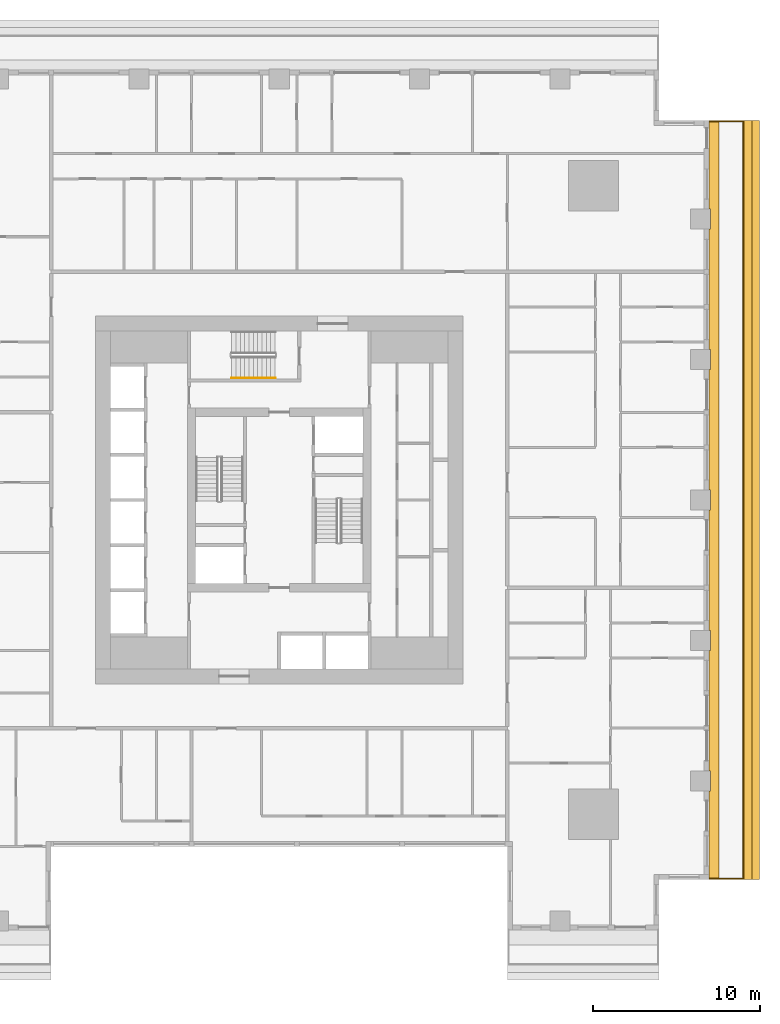
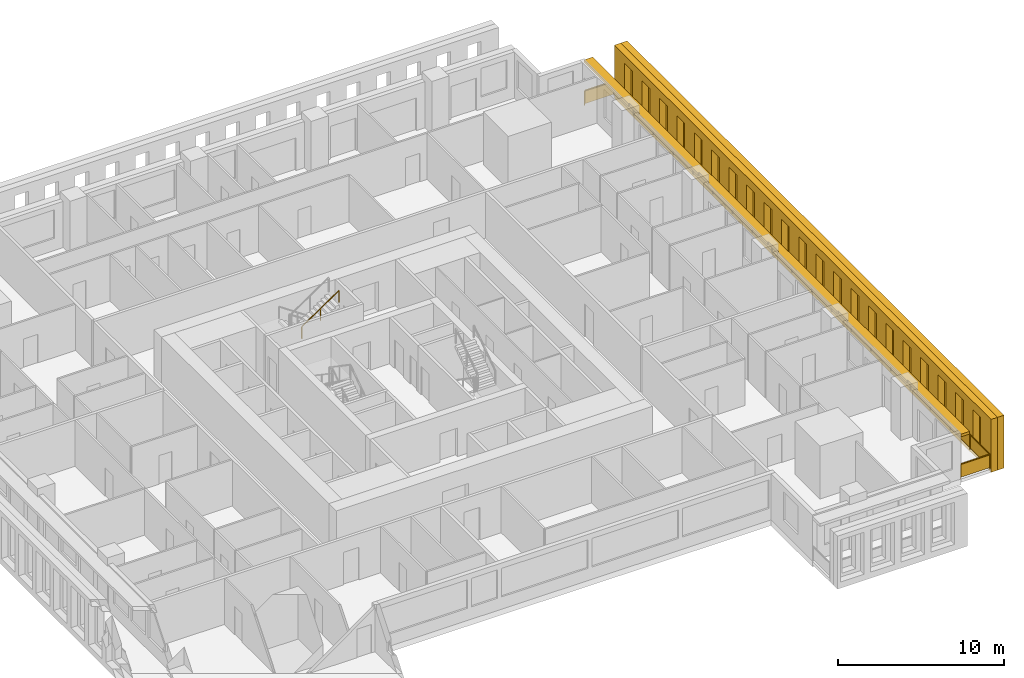
# One storey, part 12 of 14: 3 shading devices, 2 railings.
"""IFC4 building model written with IfcOpenShell, lengths in metres."""

from ifc_helpers import new_model, si_unit, direction, frame, origin, origin_2d, place, context, subcontext, project, spatial, polyline, rectangle, outline, extrude, material, layer, layer_set, type_object, element, save


model = new_model("IFC4")

# Units and contexts
model_context = context("Model", 3, precision=1e-05, world=origin(), true_north=direction((0.0, 1.0)))
body_context = subcontext(model_context, "Body", "Model", "MODEL_VIEW")
ifc_project = project(units=[si_unit("LENGTHUNIT", "METRE"), si_unit("AREAUNIT", "SQUARE_METRE"), si_unit("VOLUMEUNIT", "CUBIC_METRE"), si_unit("PLANEANGLEUNIT", "RADIAN"), si_unit("MASSUNIT", "GRAM", prefix="KILO")], contexts=[model_context])

# Site, building, storey
site_placement = place(None, origin())
site = spatial("IfcSite", under=ifc_project, at=site_placement, CompositionType="ELEMENT")
building_placement = place(site_placement, origin())
building = spatial("IfcBuilding", under=site, at=building_placement, Name="Khepri Terraces", CompositionType="ELEMENT")
storey_placement = place(building_placement, frame((0.0, 0.0, 69.89990234375)))
storey = spatial("IfcBuildingStorey", under=building, at=storey_placement, Name="L16", CompositionType="ELEMENT", Elevation=69.89990234375)

# Railings
ifc_material_1 = material(Name="Stainless steel grade 316", Category="steel")
railing_type_1 = type_object("IfcRailingType", Name="GRD-BAL-1100", PredefinedType="GUARDRAIL", material=ifc_material_1)
railing_1_placement = place(storey_placement, frame((25.719970703125, -22.669921875, 0.0)))
element("IfcRailing", 1, at=railing_1_placement, inside=storey, type_object=railing_type_1, Name="Balcony guard L16 E", PredefinedType="GUARDRAIL", context=body_context, shape_type="SweptSolid", body=[
    extrude(rectangle(XDim=0.050048828125, YDim=0.06005859375, at=origin_2d()), frame((0.0, 0.0, 1.070068359375), z_axis=(1.0, 0.0, 0.0), x_axis=(0.0, 1.0, 0.0)), (0.0, 0.0, 1.0), 2.050048828125),
    extrude(rectangle(XDim=2.0, YDim=0.011962890625, at=origin_2d()), frame((1.02490234375, 0.0, 0.10009765625), z_axis=(0.0, 0.0, 1.0), x_axis=(1.0, 0.0, 0.0)), (0.0, 0.0, 1.0), 0.93994140625),
    extrude(rectangle(XDim=0.050048828125, YDim=0.06005859375, at=origin_2d()), frame((2.050048828125, 0.0, 1.070068359375), z_axis=(0.0, 1.0, 0.0), x_axis=(-1.0, 0.0, 0.0)), (0.0, 0.0, 1.0), 45.33984375),
    extrude(rectangle(XDim=2.336181640625, YDim=0.011962890625, at=origin_2d()), frame((2.050048828125, 1.193115234375, 0.10009765625), z_axis=(0.0, 0.0, 1.0), x_axis=(0.0, 1.0, 0.0)), (0.0, 0.0, 1.0), 0.93994140625),
    extrude(rectangle(XDim=2.336181640625, YDim=0.011962890625, at=origin_2d()), frame((2.050048828125, 3.579345703125, 0.10009765625), z_axis=(0.0, 0.0, 1.0), x_axis=(0.0, 1.0, 0.0)), (0.0, 0.0, 1.0), 0.93994140625),
    extrude(rectangle(XDim=2.336181640625, YDim=0.011962890625, at=origin_2d()), frame((2.050048828125, 5.9658203125, 0.10009765625), z_axis=(0.0, 0.0, 1.0), x_axis=(0.0, 1.0, 0.0)), (0.0, 0.0, 1.0), 0.93994140625),
    extrude(rectangle(XDim=2.336181640625, YDim=0.011962890625, at=origin_2d()), frame((2.050048828125, 8.35205078125, 0.10009765625), z_axis=(0.0, 0.0, 1.0), x_axis=(0.0, 1.0, 0.0)), (0.0, 0.0, 1.0), 0.93994140625),
    extrude(rectangle(XDim=2.336181640625, YDim=0.011962890625, at=origin_2d()), frame((2.050048828125, 10.73828125, 0.10009765625), z_axis=(0.0, 0.0, 1.0), x_axis=(0.0, 1.0, 0.0)), (0.0, 0.0, 1.0), 0.93994140625),
    extrude(rectangle(XDim=2.336181640625, YDim=0.011962890625, at=origin_2d()), frame((2.050048828125, 13.124755859375, 0.10009765625), z_axis=(0.0, 0.0, 1.0), x_axis=(0.0, 1.0, 0.0)), (0.0, 0.0, 1.0), 0.93994140625),
    extrude(rectangle(XDim=2.336181640625, YDim=0.011962890625, at=origin_2d()), frame((2.050048828125, 15.510986328125, 0.10009765625), z_axis=(0.0, 0.0, 1.0), x_axis=(0.0, 1.0, 0.0)), (0.0, 0.0, 1.0), 0.93994140625),
    extrude(rectangle(XDim=2.336181640625, YDim=0.011962890625, at=origin_2d()), frame((2.050048828125, 17.897216796875, 0.10009765625), z_axis=(0.0, 0.0, 1.0), x_axis=(0.0, 1.0, 0.0)), (0.0, 0.0, 1.0), 0.93994140625),
    extrude(rectangle(XDim=2.336181640625, YDim=0.011962890625, at=origin_2d()), frame((2.050048828125, 20.28369140625, 0.10009765625), z_axis=(0.0, 0.0, 1.0), x_axis=(0.0, 1.0, 0.0)), (0.0, 0.0, 1.0), 0.93994140625),
    extrude(rectangle(XDim=2.336181640625, YDim=0.011962890625, at=origin_2d()), frame((2.050048828125, 22.669921875, 0.10009765625), z_axis=(0.0, 0.0, 1.0), x_axis=(0.0, 1.0, 0.0)), (0.0, 0.0, 1.0), 0.93994140625),
    extrude(rectangle(XDim=2.336181640625, YDim=0.011962890625, at=origin_2d()), frame((2.050048828125, 25.05615234375, 0.10009765625), z_axis=(0.0, 0.0, 1.0), x_axis=(0.0, 1.0, 0.0)), (0.0, 0.0, 1.0), 0.93994140625),
    extrude(rectangle(XDim=2.336181640625, YDim=0.011962890625, at=origin_2d()), frame((2.050048828125, 27.442626953125, 0.10009765625), z_axis=(0.0, 0.0, 1.0), x_axis=(0.0, 1.0, 0.0)), (0.0, 0.0, 1.0), 0.93994140625),
    extrude(rectangle(XDim=2.336181640625, YDim=0.011962890625, at=origin_2d()), frame((2.050048828125, 29.828857421875, 0.10009765625), z_axis=(0.0, 0.0, 1.0), x_axis=(0.0, 1.0, 0.0)), (0.0, 0.0, 1.0), 0.93994140625),
    extrude(rectangle(XDim=2.336181640625, YDim=0.011962890625, at=origin_2d()), frame((2.050048828125, 32.215087890625, 0.10009765625), z_axis=(0.0, 0.0, 1.0), x_axis=(0.0, 1.0, 0.0)), (0.0, 0.0, 1.0), 0.93994140625),
    extrude(rectangle(XDim=2.336181640625, YDim=0.011962890625, at=origin_2d()), frame((2.050048828125, 34.6015625, 0.10009765625), z_axis=(0.0, 0.0, 1.0), x_axis=(0.0, 1.0, 0.0)), (0.0, 0.0, 1.0), 0.93994140625),
    extrude(rectangle(XDim=2.336181640625, YDim=0.011962890625, at=origin_2d()), frame((2.050048828125, 36.98779296875, 0.10009765625), z_axis=(0.0, 0.0, 1.0), x_axis=(0.0, 1.0, 0.0)), (0.0, 0.0, 1.0), 0.93994140625),
    extrude(rectangle(XDim=2.336181640625, YDim=0.011962890625, at=origin_2d()), frame((2.050048828125, 39.3740234375, 0.10009765625), z_axis=(0.0, 0.0, 1.0), x_axis=(0.0, 1.0, 0.0)), (0.0, 0.0, 1.0), 0.93994140625),
    extrude(rectangle(XDim=2.336181640625, YDim=0.011962890625, at=origin_2d()), frame((2.050048828125, 41.760498046875, 0.10009765625), z_axis=(0.0, 0.0, 1.0), x_axis=(0.0, 1.0, 0.0)), (0.0, 0.0, 1.0), 0.93994140625),
    extrude(rectangle(XDim=2.336181640625, YDim=0.011962890625, at=origin_2d()), frame((2.050048828125, 44.146728515625, 0.10009765625), z_axis=(0.0, 0.0, 1.0), x_axis=(0.0, 1.0, 0.0)), (0.0, 0.0, 1.0), 0.93994140625),
    extrude(rectangle(XDim=0.050048828125, YDim=0.06005859375, at=origin_2d()), frame((2.050048828125, 45.33984375, 1.070068359375), z_axis=(-1.0, 0.0, 0.0), x_axis=(0.0, -1.0, 0.0)), (0.0, 0.0, 1.0), 2.050048828125),
    extrude(rectangle(XDim=2.0, YDim=0.011962890625, at=origin_2d()), frame((1.02490234375, 45.33984375, 0.10009765625), z_axis=(0.0, 0.0, 1.0), x_axis=(-1.0, 0.0, 0.0)), (0.0, 0.0, 1.0), 0.93994140625),
    extrude(rectangle(XDim=0.050048828125, YDim=0.050048828125, at=origin_2d()), origin(), (0.0, 0.0, 1.0), 1.0400390625),
    extrude(rectangle(XDim=0.050048828125, YDim=0.050048828125, at=origin_2d()), frame((2.050048828125, 0.0, 0.0)), (0.0, 0.0, 1.0), 1.0400390625),
    extrude(rectangle(XDim=0.050048828125, YDim=0.050048828125, at=origin_2d()), frame((2.050048828125, 2.38623046875, 0.0)), (0.0, 0.0, 1.0), 1.0400390625),
    extrude(rectangle(XDim=0.050048828125, YDim=0.050048828125, at=origin_2d()), frame((2.050048828125, 4.772705078125, 0.0)), (0.0, 0.0, 1.0), 1.0400390625),
    extrude(rectangle(XDim=0.050048828125, YDim=0.050048828125, at=origin_2d()), frame((2.050048828125, 7.158935546875, 0.0)), (0.0, 0.0, 1.0), 1.0400390625),
    extrude(rectangle(XDim=0.050048828125, YDim=0.050048828125, at=origin_2d()), frame((2.050048828125, 9.545166015625, 0.0)), (0.0, 0.0, 1.0), 1.0400390625),
    extrude(rectangle(XDim=0.050048828125, YDim=0.050048828125, at=origin_2d()), frame((2.050048828125, 11.931640625, 0.0)), (0.0, 0.0, 1.0), 1.0400390625),
    extrude(rectangle(XDim=0.050048828125, YDim=0.050048828125, at=origin_2d()), frame((2.050048828125, 14.31787109375, 0.0)), (0.0, 0.0, 1.0), 1.0400390625),
    extrude(rectangle(XDim=0.050048828125, YDim=0.050048828125, at=origin_2d()), frame((2.050048828125, 16.7041015625, 0.0)), (0.0, 0.0, 1.0), 1.0400390625),
    extrude(rectangle(XDim=0.050048828125, YDim=0.050048828125, at=origin_2d()), frame((2.050048828125, 19.090576171875, 0.0)), (0.0, 0.0, 1.0), 1.0400390625),
    extrude(rectangle(XDim=0.050048828125, YDim=0.050048828125, at=origin_2d()), frame((2.050048828125, 21.476806640625, 0.0)), (0.0, 0.0, 1.0), 1.0400390625),
    extrude(rectangle(XDim=0.050048828125, YDim=0.050048828125, at=origin_2d()), frame((2.050048828125, 23.863037109375, 0.0)), (0.0, 0.0, 1.0), 1.0400390625),
    extrude(rectangle(XDim=0.050048828125, YDim=0.050048828125, at=origin_2d()), frame((2.050048828125, 26.249267578125, 0.0)), (0.0, 0.0, 1.0), 1.0400390625),
    extrude(rectangle(XDim=0.050048828125, YDim=0.050048828125, at=origin_2d()), frame((2.050048828125, 28.6357421875, 0.0)), (0.0, 0.0, 1.0), 1.0400390625),
    extrude(rectangle(XDim=0.050048828125, YDim=0.050048828125, at=origin_2d()), frame((2.050048828125, 31.02197265625, 0.0)), (0.0, 0.0, 1.0), 1.0400390625),
    extrude(rectangle(XDim=0.050048828125, YDim=0.050048828125, at=origin_2d()), frame((2.050048828125, 33.408203125, 0.0)), (0.0, 0.0, 1.0), 1.0400390625),
    extrude(rectangle(XDim=0.050048828125, YDim=0.050048828125, at=origin_2d()), frame((2.050048828125, 35.794677734375, 0.0)), (0.0, 0.0, 1.0), 1.0400390625),
    extrude(rectangle(XDim=0.050048828125, YDim=0.050048828125, at=origin_2d()), frame((2.050048828125, 38.180908203125, 0.0)), (0.0, 0.0, 1.0), 1.0400390625),
    extrude(rectangle(XDim=0.050048828125, YDim=0.050048828125, at=origin_2d()), frame((2.050048828125, 40.567138671875, 0.0)), (0.0, 0.0, 1.0), 1.0400390625),
    extrude(rectangle(XDim=0.050048828125, YDim=0.050048828125, at=origin_2d()), frame((2.050048828125, 42.95361328125, 0.0)), (0.0, 0.0, 1.0), 1.0400390625),
    extrude(rectangle(XDim=0.050048828125, YDim=0.050048828125, at=origin_2d()), frame((2.050048828125, 45.33984375, 0.0)), (0.0, 0.0, 1.0), 1.0400390625),
    extrude(rectangle(XDim=0.050048828125, YDim=0.050048828125, at=origin_2d()), frame((0.0, 45.33984375, 0.0)), (0.0, 0.0, 1.0), 1.0400390625),
])
ifc_material_2 = material(Name="Stainless steel 316", Category="steel")
railing_type_2 = type_object("IfcRailingType", Name="RL-CORE-HANDRAIL", PredefinedType="HANDRAIL", material=ifc_material_2)
railing_2_placement = place(storey_placement, frame((-2.85009765625, 7.300048828125, 2.12744140625)))
element("IfcRailing", 2, at=railing_2_placement, inside=storey, type_object=railing_type_2, Name="L16 ST-3 stair handrail 2", PredefinedType="HANDRAIL", context=body_context, shape_type="SweptSolid", body=[
    extrude(rectangle(XDim=0.050048828125, YDim=0.050048828125, at=origin_2d()), frame((0.0, 0.0, 0.875), z_axis=(0.826240473404, 0.0, 0.563317565952), x_axis=(0.0, 1.0, 0.0)), (0.0, 0.0, 1.0), 3.14697265625),
    extrude(rectangle(XDim=0.050048828125, YDim=0.050048828125, at=origin_2d()), origin(), (0.0, 0.0, 1.0), 0.849853515625),
    extrude(rectangle(XDim=0.050048828125, YDim=0.050048828125, at=origin_2d()), frame((1.300048828125, 0.0, 0.88623046875)), (0.0, 0.0, 1.0), 0.849853515625),
    extrude(rectangle(XDim=0.050048828125, YDim=0.050048828125, at=origin_2d()), frame((2.60009765625, 0.0, 1.772705078125)), (0.0, 0.0, 1.0), 0.849853515625),
])

# Shading devices
ifc_material_3 = material(Name="Precast concrete C50/60 warm stone", Category="masonry")
shading_device_type_1 = type_object("IfcShadingDeviceType", Name="SCR-CELL-INNER-450", PredefinedType="USERDEFINED", material=ifc_material_3)
shading_device_1_placement = place(storey_placement, frame((27.820068359375, -22.719970703125, -0.25), z_axis=(1.0, 0.0, 0.0), x_axis=(0.0, 1.0, 0.0)))
element("IfcShadingDevice", 3, at=shading_device_1_placement, inside=storey, type_object=shading_device_type_1, Name="Cell screen L16 E in", ObjectType="SCREEN", PredefinedType="USERDEFINED", context=body_context, shape_type="SweptSolid", body=[
    extrude(outline(polyline([(0.0, 0.0), (45.43994140625, 0.0), (45.43994140625, 3.89990234375), (0.0, 3.89990234375), (0.0, 0.0)]), holes=[polyline([(1.24755859375, 0.699951171875), (2.1923828125, 0.699951171875), (2.1923828125, 3.300048828125), (1.24755859375, 3.300048828125), (1.24755859375, 0.699951171875)]), polyline([(3.347412109375, 0.699951171875), (4.29248046875, 0.699951171875), (4.29248046875, 3.300048828125), (3.347412109375, 3.300048828125), (3.347412109375, 0.699951171875)]), polyline([(5.447509765625, 0.699951171875), (6.392578125, 0.699951171875), (6.392578125, 3.300048828125), (5.447509765625, 3.300048828125), (5.447509765625, 0.699951171875)]), polyline([(7.547607421875, 0.699951171875), (8.492431640625, 0.699951171875), (8.492431640625, 3.300048828125), (7.547607421875, 3.300048828125), (7.547607421875, 0.699951171875)]), polyline([(9.6474609375, 0.699951171875), (10.592529296875, 0.699951171875), (10.592529296875, 3.300048828125), (9.6474609375, 3.300048828125), (9.6474609375, 0.699951171875)]), polyline([(11.74755859375, 0.699951171875), (12.6923828125, 0.699951171875), (12.6923828125, 3.300048828125), (11.74755859375, 3.300048828125), (11.74755859375, 0.699951171875)]), polyline([(13.847412109375, 0.699951171875), (14.79248046875, 0.699951171875), (14.79248046875, 3.300048828125), (13.847412109375, 3.300048828125), (13.847412109375, 0.699951171875)]), polyline([(15.947509765625, 0.699951171875), (16.892578125, 0.699951171875), (16.892578125, 3.300048828125), (15.947509765625, 3.300048828125), (15.947509765625, 0.699951171875)]), polyline([(18.047607421875, 0.699951171875), (18.992431640625, 0.699951171875), (18.992431640625, 3.300048828125), (18.047607421875, 3.300048828125), (18.047607421875, 0.699951171875)]), polyline([(20.1474609375, 0.699951171875), (21.092529296875, 0.699951171875), (21.092529296875, 3.300048828125), (20.1474609375, 3.300048828125), (20.1474609375, 0.699951171875)]), polyline([(22.24755859375, 0.699951171875), (23.1923828125, 0.699951171875), (23.1923828125, 3.300048828125), (22.24755859375, 3.300048828125), (22.24755859375, 0.699951171875)]), polyline([(24.347412109375, 0.699951171875), (25.29248046875, 0.699951171875), (25.29248046875, 3.300048828125), (24.347412109375, 3.300048828125), (24.347412109375, 0.699951171875)]), polyline([(26.447509765625, 0.699951171875), (27.392578125, 0.699951171875), (27.392578125, 3.300048828125), (26.447509765625, 3.300048828125), (26.447509765625, 0.699951171875)]), polyline([(28.547607421875, 0.699951171875), (29.492431640625, 0.699951171875), (29.492431640625, 3.300048828125), (28.547607421875, 3.300048828125), (28.547607421875, 0.699951171875)]), polyline([(30.6474609375, 0.699951171875), (31.592529296875, 0.699951171875), (31.592529296875, 3.300048828125), (30.6474609375, 3.300048828125), (30.6474609375, 0.699951171875)]), polyline([(32.74755859375, 0.699951171875), (33.6923828125, 0.699951171875), (33.6923828125, 3.300048828125), (32.74755859375, 3.300048828125), (32.74755859375, 0.699951171875)]), polyline([(34.847412109375, 0.699951171875), (35.79248046875, 0.699951171875), (35.79248046875, 3.300048828125), (34.847412109375, 3.300048828125), (34.847412109375, 0.699951171875)]), polyline([(36.947509765625, 0.699951171875), (37.892578125, 0.699951171875), (37.892578125, 3.300048828125), (36.947509765625, 3.300048828125), (36.947509765625, 0.699951171875)]), polyline([(39.047607421875, 0.699951171875), (39.992431640625, 0.699951171875), (39.992431640625, 3.300048828125), (39.047607421875, 3.300048828125), (39.047607421875, 0.699951171875)]), polyline([(41.1474609375, 0.699951171875), (42.092529296875, 0.699951171875), (42.092529296875, 3.300048828125), (41.1474609375, 3.300048828125), (41.1474609375, 0.699951171875)]), polyline([(43.24755859375, 0.699951171875), (44.1923828125, 0.699951171875), (44.1923828125, 3.300048828125), (43.24755859375, 3.300048828125), (43.24755859375, 0.699951171875)])]), origin(), (0.0, 0.0, 1.0), 0.449951171875),
])
shading_device_type_2 = type_object("IfcShadingDeviceType", Name="SCR-CELL-OUTER-450", PredefinedType="USERDEFINED", material=ifc_material_3)
shading_device_2_placement = place(storey_placement, frame((28.27001953125, -22.719970703125, -0.25), z_axis=(1.0, 0.0, 0.0), x_axis=(0.0, 1.0, 0.0)))
element("IfcShadingDevice", 4, at=shading_device_2_placement, inside=storey, type_object=shading_device_type_2, Name="Cell screen L16 E out", ObjectType="SCREEN", PredefinedType="USERDEFINED", context=body_context, shape_type="SweptSolid", body=[
    extrude(outline(polyline([(0.0, 0.0), (45.43994140625, 0.0), (45.43994140625, 3.89990234375), (0.0, 3.89990234375), (0.0, 0.0)]), holes=[polyline([(0.8974609375, 0.449951171875), (2.54248046875, 0.449951171875), (2.54248046875, 3.550048828125), (0.8974609375, 3.550048828125), (0.8974609375, 0.449951171875)]), polyline([(2.99755859375, 0.449951171875), (4.642578125, 0.449951171875), (4.642578125, 3.550048828125), (2.99755859375, 3.550048828125), (2.99755859375, 0.449951171875)]), polyline([(5.097412109375, 0.449951171875), (6.742431640625, 0.449951171875), (6.742431640625, 3.550048828125), (5.097412109375, 3.550048828125), (5.097412109375, 0.449951171875)]), polyline([(7.197509765625, 0.449951171875), (8.842529296875, 0.449951171875), (8.842529296875, 3.550048828125), (7.197509765625, 3.550048828125), (7.197509765625, 0.449951171875)]), polyline([(9.297607421875, 0.449951171875), (10.9423828125, 0.449951171875), (10.9423828125, 3.550048828125), (9.297607421875, 3.550048828125), (9.297607421875, 0.449951171875)]), polyline([(11.3974609375, 0.449951171875), (13.04248046875, 0.449951171875), (13.04248046875, 3.550048828125), (11.3974609375, 3.550048828125), (11.3974609375, 0.449951171875)]), polyline([(13.49755859375, 0.449951171875), (15.142578125, 0.449951171875), (15.142578125, 3.550048828125), (13.49755859375, 3.550048828125), (13.49755859375, 0.449951171875)]), polyline([(15.597412109375, 0.449951171875), (17.242431640625, 0.449951171875), (17.242431640625, 3.550048828125), (15.597412109375, 3.550048828125), (15.597412109375, 0.449951171875)]), polyline([(17.697509765625, 0.449951171875), (19.342529296875, 0.449951171875), (19.342529296875, 3.550048828125), (17.697509765625, 3.550048828125), (17.697509765625, 0.449951171875)]), polyline([(19.797607421875, 0.449951171875), (21.4423828125, 0.449951171875), (21.4423828125, 3.550048828125), (19.797607421875, 3.550048828125), (19.797607421875, 0.449951171875)]), polyline([(21.8974609375, 0.449951171875), (23.54248046875, 0.449951171875), (23.54248046875, 3.550048828125), (21.8974609375, 3.550048828125), (21.8974609375, 0.449951171875)]), polyline([(23.99755859375, 0.449951171875), (25.642578125, 0.449951171875), (25.642578125, 3.550048828125), (23.99755859375, 3.550048828125), (23.99755859375, 0.449951171875)]), polyline([(26.097412109375, 0.449951171875), (27.742431640625, 0.449951171875), (27.742431640625, 3.550048828125), (26.097412109375, 3.550048828125), (26.097412109375, 0.449951171875)]), polyline([(28.197509765625, 0.449951171875), (29.842529296875, 0.449951171875), (29.842529296875, 3.550048828125), (28.197509765625, 3.550048828125), (28.197509765625, 0.449951171875)]), polyline([(30.297607421875, 0.449951171875), (31.9423828125, 0.449951171875), (31.9423828125, 3.550048828125), (30.297607421875, 3.550048828125), (30.297607421875, 0.449951171875)]), polyline([(32.3974609375, 0.449951171875), (34.04248046875, 0.449951171875), (34.04248046875, 3.550048828125), (32.3974609375, 3.550048828125), (32.3974609375, 0.449951171875)]), polyline([(34.49755859375, 0.449951171875), (36.142578125, 0.449951171875), (36.142578125, 3.550048828125), (34.49755859375, 3.550048828125), (34.49755859375, 0.449951171875)]), polyline([(36.597412109375, 0.449951171875), (38.242431640625, 0.449951171875), (38.242431640625, 3.550048828125), (36.597412109375, 3.550048828125), (36.597412109375, 0.449951171875)]), polyline([(38.697509765625, 0.449951171875), (40.342529296875, 0.449951171875), (40.342529296875, 3.550048828125), (38.697509765625, 3.550048828125), (38.697509765625, 0.449951171875)]), polyline([(40.797607421875, 0.449951171875), (42.4423828125, 0.449951171875), (42.4423828125, 3.550048828125), (40.797607421875, 3.550048828125), (40.797607421875, 0.449951171875)]), polyline([(42.8974609375, 0.449951171875), (44.54248046875, 0.449951171875), (44.54248046875, 3.550048828125), (42.8974609375, 3.550048828125), (42.8974609375, 0.449951171875)])]), origin(), (0.0, 0.0, 1.0), 0.449951171875),
])
ifc_layer = layer(ifc_material_3, 0.199951171875, Name="Precast concrete C50/60 warm stone", Category="masonry")
ifc_layer_set = layer_set([ifc_layer], Name="Precast concrete C50/60 warm stone")
shading_device_type_3 = type_object("IfcShadingDeviceType", Name="SSH-BAND-STONE-200-N", PredefinedType="USERDEFINED", material=ifc_layer_set)
shading_device_3_placement = place(storey_placement, frame((0.0, 0.0, 3.10009765625)))
element("IfcShadingDevice", 5, at=shading_device_3_placement, inside=storey, type_object=shading_device_type_3, Name="Sunshade band L16 E", ObjectType="SUNSHADE", PredefinedType="USERDEFINED", context=body_context, shape_type="SweptSolid", body=[
    extrude(outline(polyline([(25.719970703125, -17.39990234375), (25.719970703125, -22.719970703125), (26.320068359375, -22.719970703125), (26.320068359375, 22.719970703125), (25.719970703125, 22.719970703125), (25.719970703125, 17.39990234375), (25.800048828125, 17.39990234375), (25.800048828125, 16.199951171875), (25.719970703125, 16.199951171875), (25.719970703125, 9.0), (25.800048828125, 9.0), (25.800048828125, 7.800048828125), (25.719970703125, 7.800048828125), (25.719970703125, 0.60009765625), (25.800048828125, 0.60009765625), (25.800048828125, -0.60009765625), (25.719970703125, -0.60009765625), (25.719970703125, -7.800048828125), (25.800048828125, -7.800048828125), (25.800048828125, -9.0), (25.719970703125, -9.0), (25.719970703125, -16.199951171875), (25.800048828125, -16.199951171875), (25.800048828125, -17.39990234375), (25.719970703125, -17.39990234375)])), origin(), (0.0, 0.0, 1.0), 0.199951171875),
])

save(model, "model.ifc")
